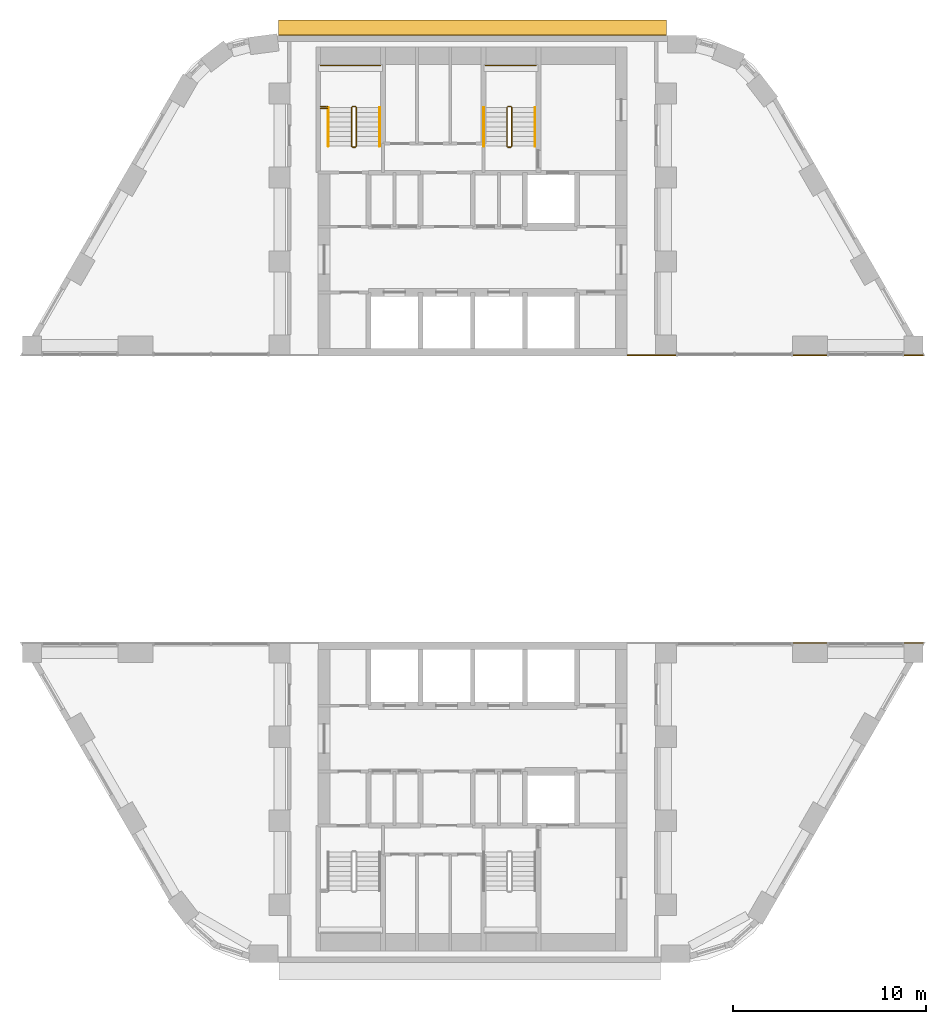
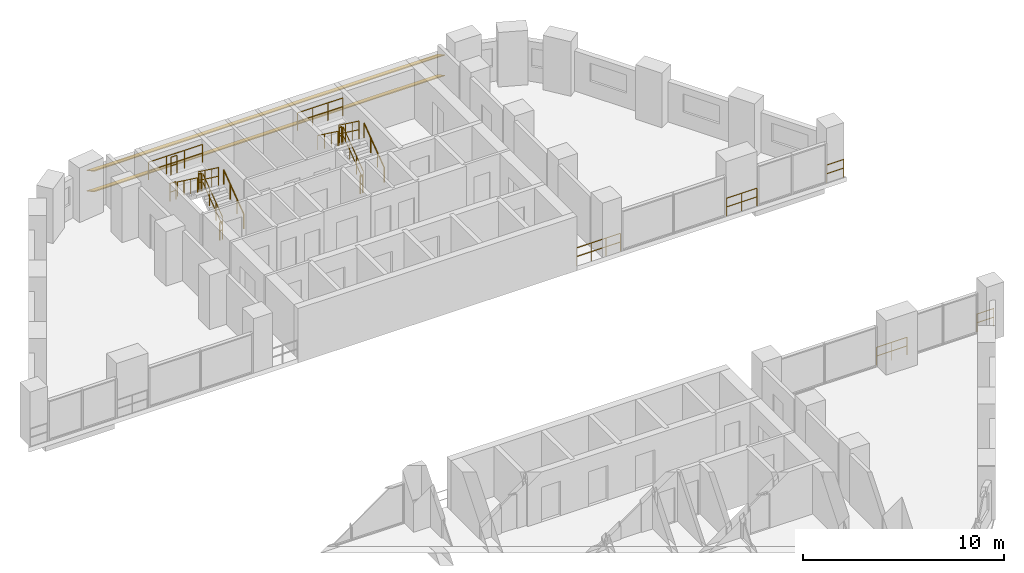
# One storey, part 11 of 11: 21 railings, 2 shading devices.
"""IFC4 building model written with IfcOpenShell, lengths in metres."""

from ifc_helpers import new_model, si_unit, direction, frame, origin, origin_2d, place, context, subcontext, project, spatial, rectangle, circle, extrude, material, material_profile, profile_set, type_object, element, save


model = new_model("IFC4")

# Units and contexts
model_context = context("Model", 3, precision=1e-05, world=origin(), true_north=direction((0.0, 1.0)))
body_context = subcontext(model_context, "Body", "Model", "MODEL_VIEW")
ifc_project = project(units=[si_unit("LENGTHUNIT", "METRE"), si_unit("AREAUNIT", "SQUARE_METRE"), si_unit("VOLUMEUNIT", "CUBIC_METRE"), si_unit("PLANEANGLEUNIT", "RADIAN"), si_unit("MASSUNIT", "GRAM", prefix="KILO")], contexts=[model_context])

# Site, building, storey
site_placement = place(None, origin())
site = spatial("IfcSite", under=ifc_project, at=site_placement, CompositionType="ELEMENT")
building_placement = place(site_placement, origin())
building = spatial("IfcBuilding", under=site, at=building_placement, Name="Nakaniwa Court", CompositionType="ELEMENT")
storey_placement = place(building_placement, frame((0.0, 0.0, 31.5)))
storey = spatial("IfcBuildingStorey", under=building, at=storey_placement, Name="L07", CompositionType="ELEMENT", Elevation=31.5)

# Shading devices
ifc_material_1 = material(Name="Perforated charcoal ceramic louvre blade")
ifc_material_profile = material_profile(ifc_material_1, rectangle(XDim=0.89990234375, YDim=0.050048828125, at=origin_2d()), Name="Perforated ceramic louvre blade")
ifc_profile_set = profile_set([ifc_material_profile], Name="Perforated charcoal ceramic louvre blade")
shading_device_type = type_object("IfcShadingDeviceType", Name="Perforated ceramic louvre blade", PredefinedType="JALOUSIE", material=ifc_profile_set)
for number, where, z_axis, x_axis, name in (
    (1, (90.02880859375, 104.402099609375, 0.550048828125), (-1.0, 0.0, 0.0), (0.0, -0.866025403784, 0.5), "L07 perforated ceramic louvre blade w26 1"),
    (2, (90.02880859375, 104.402099609375, 1.793212890625), (-1.0, 0.0, 0.0), (0.0, -0.866025403784, 0.5), "L07 perforated ceramic louvre blade w26 2"),
):
    element("IfcShadingDevice", number, at=place(storey_placement, frame(where, z_axis=z_axis, x_axis=x_axis)), inside=storey, type_object=shading_device_type, Name=name, PredefinedType="JALOUSIE", context=body_context, shape_type="SweptSolid", body=[
        extrude(rectangle(XDim=0.89990234375, YDim=0.050048828125, at=origin_2d()), origin(), (0.0, 0.0, 1.0), 20.090576171875),
    ])

# Railings
ifc_material_2 = material(Name="Black powder coated steel guard", Category="steel")
railing_type_1 = type_object("IfcRailingType", Name="Stair guard 1100", PredefinedType="GUARDRAIL", material=ifc_material_2)
railing_1_placement = place(storey_placement, frame((73.97509765625, 98.27490234375, 0.183349609375)))
element("IfcRailing", 3, at=railing_1_placement, inside=storey, type_object=railing_type_1, Name="L07 ST1 stair guard 1", PredefinedType="GUARDRAIL", context=body_context, shape_type="SweptSolid", body=[
    extrude(circle(Radius=0.02392578125, at=origin_2d()), frame((0.0, 0.0, 1.076171875), z_axis=(0.0, 0.806426902644, 0.591333789573), x_axis=(-1.0, 0.0, 0.0)), (0.0, 0.0, 1.0), 2.47998046875),
    extrude(circle(Radius=0.02392578125, at=origin_2d()), frame((0.0, 0.0, 0.550048828125), z_axis=(0.0, 0.806426902644, 0.591333789573), x_axis=(-1.0, 0.0, 0.0)), (0.0, 0.0, 1.0), 2.47998046875),
    extrude(circle(Radius=0.02099609375, at=origin_2d()), origin(), (0.0, 0.0, 1.0), 1.052001953125),
    extrude(circle(Radius=0.02099609375, at=origin_2d()), frame((0.0, 0.666748046875, 0.48876953125)), (0.0, 0.0, 1.0), 1.052001953125),
    extrude(circle(Radius=0.02099609375, at=origin_2d()), frame((0.0, 1.333251953125, 0.977783203125)), (0.0, 0.0, 1.0), 1.052001953125),
    extrude(circle(Radius=0.02099609375, at=origin_2d()), frame((0.0, 2.0, 1.466552734375)), (0.0, 0.0, 1.0), 1.052001953125),
])
railing_2_placement = place(storey_placement, frame((73.925048828125, 100.324951171875, 1.64990234375)))
element("IfcRailing", 4, at=railing_2_placement, inside=storey, type_object=railing_type_1, Name="L07 ST1 stair guard 2", PredefinedType="GUARDRAIL", context=body_context, shape_type="SweptSolid", body=[
    extrude(circle(Radius=0.02392578125, at=origin_2d()), frame((0.0, 0.0, 1.076171875), z_axis=(-1.0, 0.0, 0.0), x_axis=(0.0, -1.0, 0.0)), (0.0, 0.0, 1.0), 0.150146484375),
    extrude(circle(Radius=0.02392578125, at=origin_2d()), frame((0.0, 0.0, 0.550048828125), z_axis=(-1.0, 0.0, 0.0), x_axis=(0.0, -1.0, 0.0)), (0.0, 0.0, 1.0), 0.150146484375),
    extrude(circle(Radius=0.02099609375, at=origin_2d()), origin(), (0.0, 0.0, 1.0), 1.052001953125),
    extrude(circle(Radius=0.02099609375, at=origin_2d()), frame((-0.150146484375, 0.0, 0.0)), (0.0, 0.0, 1.0), 1.052001953125),
])
railing_3_placement = place(storey_placement, frame((73.72509765625, 100.27490234375, 1.833251953125)))
element("IfcRailing", 5, at=railing_3_placement, inside=storey, type_object=railing_type_1, Name="L07 ST1 stair guard 3", PredefinedType="GUARDRAIL", context=body_context, shape_type="SweptSolid", body=[
    extrude(circle(Radius=0.02392578125, at=origin_2d()), frame((0.0, 0.0, 1.076171875), z_axis=(0.0, -0.806379959628, 0.591397802423), x_axis=(1.0, 0.0, 0.0)), (0.0, 0.0, 1.0), 2.480224609375),
    extrude(circle(Radius=0.02392578125, at=origin_2d()), frame((0.0, 0.0, 0.550048828125), z_axis=(0.0, -0.806379959628, 0.591397802423), x_axis=(1.0, 0.0, 0.0)), (0.0, 0.0, 1.0), 2.480224609375),
    extrude(circle(Radius=0.02099609375, at=origin_2d()), origin(), (0.0, 0.0, 1.0), 1.052001953125),
    extrude(circle(Radius=0.02099609375, at=origin_2d()), frame((0.0, -0.666748046875, 0.489013671875)), (0.0, 0.0, 1.0), 1.052001953125),
    extrude(circle(Radius=0.02099609375, at=origin_2d()), frame((0.0, -1.333251953125, 0.977783203125)), (0.0, 0.0, 1.0), 1.052001953125),
    extrude(circle(Radius=0.02099609375, at=origin_2d()), frame((0.0, -2.0, 1.466796875)), (0.0, 0.0, 1.0), 1.052001953125),
])
railing_4_placement = place(storey_placement, frame((73.925048828125, 98.22509765625, 0.0)))
element("IfcRailing", 6, at=railing_4_placement, inside=storey, type_object=railing_type_1, Name="L07 ST1 stair guard 4", PredefinedType="GUARDRAIL", context=body_context, shape_type="SweptSolid", body=[
    extrude(circle(Radius=0.02392578125, at=origin_2d()), frame((0.0, 0.0, 1.076171875), z_axis=(-1.0, 0.0, 0.0), x_axis=(0.0, -1.0, 0.0)), (0.0, 0.0, 1.0), 0.150146484375),
    extrude(circle(Radius=0.02392578125, at=origin_2d()), frame((0.0, 0.0, 0.550048828125), z_axis=(-1.0, 0.0, 0.0), x_axis=(0.0, -1.0, 0.0)), (0.0, 0.0, 1.0), 0.150146484375),
    extrude(circle(Radius=0.02099609375, at=origin_2d()), origin(), (0.0, 0.0, 1.0), 1.052001953125),
    extrude(circle(Radius=0.02099609375, at=origin_2d()), frame((-0.150146484375, 0.0, 0.0)), (0.0, 0.0, 1.0), 1.052001953125),
])
railing_5_placement = place(storey_placement, frame((72.125, 102.449951171875, 1.64990234375)))
element("IfcRailing", 7, at=railing_5_placement, inside=storey, type_object=railing_type_1, Name="L07 ST1 landing end guard 1", PredefinedType="GUARDRAIL", context=body_context, shape_type="SweptSolid", body=[
    extrude(circle(Radius=0.02392578125, at=origin_2d()), frame((0.0, 0.0, 1.076171875), z_axis=(1.0, 0.0, 0.0), x_axis=(0.0, 1.0, 0.0)), (0.0, 0.0, 1.0), 3.10009765625),
    extrude(circle(Radius=0.02392578125, at=origin_2d()), frame((0.0, 0.0, 0.550048828125), z_axis=(1.0, 0.0, 0.0), x_axis=(0.0, 1.0, 0.0)), (0.0, 0.0, 1.0), 3.10009765625),
    extrude(circle(Radius=0.02099609375, at=origin_2d()), origin(), (0.0, 0.0, 1.0), 1.052001953125),
    extrude(circle(Radius=0.02099609375, at=origin_2d()), frame((1.033447265625, 0.0, 0.0)), (0.0, 0.0, 1.0), 1.052001953125),
    extrude(circle(Radius=0.02099609375, at=origin_2d()), frame((2.066650390625, 0.0, 0.0)), (0.0, 0.0, 1.0), 1.052001953125),
    extrude(circle(Radius=0.02099609375, at=origin_2d()), frame((3.10009765625, 0.0, 0.0)), (0.0, 0.0, 1.0), 1.052001953125),
])
for number, where, name in (
    (8, (72.125, 100.324951171875, 1.64990234375), "L07 ST1 landing side guard 1W"),
    (9, (72.125, 100.22509765625, 3.300048828125), "L07 ST1 floor edge guard 1W"),
):
    element("IfcRailing", number, at=place(storey_placement, frame(where)), inside=storey, type_object=railing_type_1, Name=name, PredefinedType="GUARDRAIL", context=body_context, shape_type="SweptSolid", body=[
        extrude(circle(Radius=0.02392578125, at=origin_2d()), frame((0.0, 0.0, 1.076171875), z_axis=(1.0, 0.0, 0.0), x_axis=(0.0, 1.0, 0.0)), (0.0, 0.0, 1.0), 0.35009765625),
        extrude(circle(Radius=0.02392578125, at=origin_2d()), frame((0.0, 0.0, 0.550048828125), z_axis=(1.0, 0.0, 0.0), x_axis=(0.0, 1.0, 0.0)), (0.0, 0.0, 1.0), 0.35009765625),
        extrude(circle(Radius=0.02099609375, at=origin_2d()), origin(), (0.0, 0.0, 1.0), 1.052001953125),
        extrude(circle(Radius=0.02099609375, at=origin_2d()), frame((0.35009765625, 0.0, 0.0)), (0.0, 0.0, 1.0), 1.052001953125),
    ])
railing_6_placement = place(storey_placement, frame((82.02490234375, 98.27490234375, 0.183349609375)))
element("IfcRailing", 10, at=railing_6_placement, inside=storey, type_object=railing_type_1, Name="L07 ST2 stair guard 1", PredefinedType="GUARDRAIL", context=body_context, shape_type="SweptSolid", body=[
    extrude(circle(Radius=0.02392578125, at=origin_2d()), frame((0.0, 0.0, 1.076171875), z_axis=(0.0, 0.806426902644, 0.591333789573), x_axis=(-1.0, 0.0, 0.0)), (0.0, 0.0, 1.0), 2.47998046875),
    extrude(circle(Radius=0.02392578125, at=origin_2d()), frame((0.0, 0.0, 0.550048828125), z_axis=(0.0, 0.806426902644, 0.591333789573), x_axis=(-1.0, 0.0, 0.0)), (0.0, 0.0, 1.0), 2.47998046875),
    extrude(circle(Radius=0.02099609375, at=origin_2d()), origin(), (0.0, 0.0, 1.0), 1.052001953125),
    extrude(circle(Radius=0.02099609375, at=origin_2d()), frame((0.0, 0.666748046875, 0.48876953125)), (0.0, 0.0, 1.0), 1.052001953125),
    extrude(circle(Radius=0.02099609375, at=origin_2d()), frame((0.0, 1.333251953125, 0.977783203125)), (0.0, 0.0, 1.0), 1.052001953125),
    extrude(circle(Radius=0.02099609375, at=origin_2d()), frame((0.0, 2.0, 1.466552734375)), (0.0, 0.0, 1.0), 1.052001953125),
])
railing_7_placement = place(storey_placement, frame((81.97509765625, 100.324951171875, 1.64990234375)))
element("IfcRailing", 11, at=railing_7_placement, inside=storey, type_object=railing_type_1, Name="L07 ST2 stair guard 2", PredefinedType="GUARDRAIL", context=body_context, shape_type="SweptSolid", body=[
    extrude(circle(Radius=0.02392578125, at=origin_2d()), frame((0.0, 0.0, 1.076171875), z_axis=(-1.0, 0.0, 0.0), x_axis=(0.0, -1.0, 0.0)), (0.0, 0.0, 1.0), 0.150146484375),
    extrude(circle(Radius=0.02392578125, at=origin_2d()), frame((0.0, 0.0, 0.550048828125), z_axis=(-1.0, 0.0, 0.0), x_axis=(0.0, -1.0, 0.0)), (0.0, 0.0, 1.0), 0.150146484375),
    extrude(circle(Radius=0.02099609375, at=origin_2d()), origin(), (0.0, 0.0, 1.0), 1.052001953125),
    extrude(circle(Radius=0.02099609375, at=origin_2d()), frame((-0.150146484375, 0.0, 0.0)), (0.0, 0.0, 1.0), 1.052001953125),
])
railing_8_placement = place(storey_placement, frame((81.77490234375, 100.27490234375, 1.833251953125)))
element("IfcRailing", 12, at=railing_8_placement, inside=storey, type_object=railing_type_1, Name="L07 ST2 stair guard 3", PredefinedType="GUARDRAIL", context=body_context, shape_type="SweptSolid", body=[
    extrude(circle(Radius=0.02392578125, at=origin_2d()), frame((0.0, 0.0, 1.076171875), z_axis=(0.0, -0.806379959628, 0.591397802423), x_axis=(1.0, 0.0, 0.0)), (0.0, 0.0, 1.0), 2.480224609375),
    extrude(circle(Radius=0.02392578125, at=origin_2d()), frame((0.0, 0.0, 0.550048828125), z_axis=(0.0, -0.806379959628, 0.591397802423), x_axis=(1.0, 0.0, 0.0)), (0.0, 0.0, 1.0), 2.480224609375),
    extrude(circle(Radius=0.02099609375, at=origin_2d()), origin(), (0.0, 0.0, 1.0), 1.052001953125),
    extrude(circle(Radius=0.02099609375, at=origin_2d()), frame((0.0, -0.666748046875, 0.489013671875)), (0.0, 0.0, 1.0), 1.052001953125),
    extrude(circle(Radius=0.02099609375, at=origin_2d()), frame((0.0, -1.333251953125, 0.977783203125)), (0.0, 0.0, 1.0), 1.052001953125),
    extrude(circle(Radius=0.02099609375, at=origin_2d()), frame((0.0, -2.0, 1.466796875)), (0.0, 0.0, 1.0), 1.052001953125),
])
railing_9_placement = place(storey_placement, frame((81.97509765625, 98.22509765625, 0.0)))
element("IfcRailing", 13, at=railing_9_placement, inside=storey, type_object=railing_type_1, Name="L07 ST2 stair guard 4", PredefinedType="GUARDRAIL", context=body_context, shape_type="SweptSolid", body=[
    extrude(circle(Radius=0.02392578125, at=origin_2d()), frame((0.0, 0.0, 1.076171875), z_axis=(-1.0, 0.0, 0.0), x_axis=(0.0, -1.0, 0.0)), (0.0, 0.0, 1.0), 0.150146484375),
    extrude(circle(Radius=0.02392578125, at=origin_2d()), frame((0.0, 0.0, 0.550048828125), z_axis=(-1.0, 0.0, 0.0), x_axis=(0.0, -1.0, 0.0)), (0.0, 0.0, 1.0), 0.150146484375),
    extrude(circle(Radius=0.02099609375, at=origin_2d()), origin(), (0.0, 0.0, 1.0), 1.052001953125),
    extrude(circle(Radius=0.02099609375, at=origin_2d()), frame((-0.150146484375, 0.0, 0.0)), (0.0, 0.0, 1.0), 1.052001953125),
])
railing_10_placement = place(storey_placement, frame((80.675048828125, 102.449951171875, 1.64990234375)))
element("IfcRailing", 14, at=railing_10_placement, inside=storey, type_object=railing_type_1, Name="L07 ST2 landing end guard 1", PredefinedType="GUARDRAIL", context=body_context, shape_type="SweptSolid", body=[
    extrude(circle(Radius=0.02392578125, at=origin_2d()), frame((0.0, 0.0, 1.076171875), z_axis=(1.0, 0.0, 0.0), x_axis=(0.0, 1.0, 0.0)), (0.0, 0.0, 1.0), 2.599853515625),
    extrude(circle(Radius=0.02392578125, at=origin_2d()), frame((0.0, 0.0, 0.550048828125), z_axis=(1.0, 0.0, 0.0), x_axis=(0.0, 1.0, 0.0)), (0.0, 0.0, 1.0), 2.599853515625),
    extrude(circle(Radius=0.02099609375, at=origin_2d()), origin(), (0.0, 0.0, 1.0), 1.052001953125),
    extrude(circle(Radius=0.02099609375, at=origin_2d()), frame((0.86669921875, 0.0, 0.0)), (0.0, 0.0, 1.0), 1.052001953125),
    extrude(circle(Radius=0.02099609375, at=origin_2d()), frame((1.733154296875, 0.0, 0.0)), (0.0, 0.0, 1.0), 1.052001953125),
    extrude(circle(Radius=0.02099609375, at=origin_2d()), frame((2.599853515625, 0.0, 0.0)), (0.0, 0.0, 1.0), 1.052001953125),
])
railing_11_placement = place(storey_placement, frame((96.58740234375, 72.550048828125, 0.0)))
element("IfcRailing", 15, at=railing_11_placement, inside=storey, type_object=railing_type_1, Name="GUARD GD-L07-117", PredefinedType="GUARDRAIL", context=body_context, shape_type="SweptSolid", body=[
    extrude(circle(Radius=0.02392578125, at=origin_2d()), frame((0.0, 0.0, 1.076171875), z_axis=(1.0, 0.0, 0.0), x_axis=(0.0, 1.0, 0.0)), (0.0, 0.0, 1.0), 1.75634765625),
    extrude(circle(Radius=0.02392578125, at=origin_2d()), frame((0.0, 0.0, 0.550048828125), z_axis=(1.0, 0.0, 0.0), x_axis=(0.0, 1.0, 0.0)), (0.0, 0.0, 1.0), 1.75634765625),
    extrude(circle(Radius=0.02099609375, at=origin_2d()), origin(), (0.0, 0.0, 1.0), 1.052001953125),
    extrude(circle(Radius=0.02099609375, at=origin_2d()), frame((0.878173828125, 0.0, 0.0)), (0.0, 0.0, 1.0), 1.052001953125),
    extrude(circle(Radius=0.02099609375, at=origin_2d()), frame((1.75634765625, 0.0, 0.0)), (0.0, 0.0, 1.0), 1.052001953125),
])
railing_12_placement = place(storey_placement, frame((102.343017578125, 72.550048828125, 0.0)))
element("IfcRailing", 16, at=railing_12_placement, inside=storey, type_object=railing_type_1, Name="GUARD GD-L07-118", PredefinedType="GUARDRAIL", context=body_context, shape_type="SweptSolid", body=[
    extrude(circle(Radius=0.02392578125, at=origin_2d()), frame((0.0, 0.0, 1.076171875), z_axis=(1.0, 0.0, 0.0), x_axis=(0.0, 1.0, 0.0)), (0.0, 0.0, 1.0), 0.968017578125),
    extrude(circle(Radius=0.02392578125, at=origin_2d()), frame((0.0, 0.0, 0.550048828125), z_axis=(1.0, 0.0, 0.0), x_axis=(0.0, 1.0, 0.0)), (0.0, 0.0, 1.0), 0.968017578125),
    extrude(circle(Radius=0.02099609375, at=origin_2d()), origin(), (0.0, 0.0, 1.0), 1.052001953125),
    extrude(circle(Radius=0.02099609375, at=origin_2d()), frame((0.968017578125, 0.0, 0.0)), (0.0, 0.0, 1.0), 1.052001953125),
])
railing_13_placement = place(storey_placement, frame((103.31103515625, 87.449951171875, 0.0)))
element("IfcRailing", 17, at=railing_13_placement, inside=storey, type_object=railing_type_1, Name="GUARD GD-L07-119", PredefinedType="GUARDRAIL", context=body_context, shape_type="SweptSolid", body=[
    extrude(circle(Radius=0.02392578125, at=origin_2d()), frame((0.0, 0.0, 1.076171875), z_axis=(-1.0, 0.0, 0.0), x_axis=(0.0, -1.0, 0.0)), (0.0, 0.0, 1.0), 0.968017578125),
    extrude(circle(Radius=0.02392578125, at=origin_2d()), frame((0.0, 0.0, 0.550048828125), z_axis=(-1.0, 0.0, 0.0), x_axis=(0.0, -1.0, 0.0)), (0.0, 0.0, 1.0), 0.968017578125),
    extrude(circle(Radius=0.02099609375, at=origin_2d()), origin(), (0.0, 0.0, 1.0), 1.052001953125),
    extrude(circle(Radius=0.02099609375, at=origin_2d()), frame((-0.968017578125, 0.0, 0.0)), (0.0, 0.0, 1.0), 1.052001953125),
])
railing_14_placement = place(storey_placement, frame((98.34375, 87.449951171875, 0.0)))
element("IfcRailing", 18, at=railing_14_placement, inside=storey, type_object=railing_type_1, Name="GUARD GD-L07-120", PredefinedType="GUARDRAIL", context=body_context, shape_type="SweptSolid", body=[
    extrude(circle(Radius=0.02392578125, at=origin_2d()), frame((0.0, 0.0, 1.076171875), z_axis=(-1.0, 0.0, 0.0), x_axis=(0.0, -1.0, 0.0)), (0.0, 0.0, 1.0), 1.75634765625),
    extrude(circle(Radius=0.02392578125, at=origin_2d()), frame((0.0, 0.0, 0.550048828125), z_axis=(-1.0, 0.0, 0.0), x_axis=(0.0, -1.0, 0.0)), (0.0, 0.0, 1.0), 1.75634765625),
    extrude(circle(Radius=0.02099609375, at=origin_2d()), origin(), (0.0, 0.0, 1.0), 1.052001953125),
    extrude(circle(Radius=0.02099609375, at=origin_2d()), frame((-0.878173828125, 0.0, 0.0)), (0.0, 0.0, 1.0), 1.052001953125),
    extrude(circle(Radius=0.02099609375, at=origin_2d()), frame((-1.75634765625, 0.0, 0.0)), (0.0, 0.0, 1.0), 1.052001953125),
])
railing_15_placement = place(storey_placement, frame((90.52392578125, 87.449951171875, 0.0)))
element("IfcRailing", 19, at=railing_15_placement, inside=storey, type_object=railing_type_1, Name="GUARD GD-L07-121", PredefinedType="GUARDRAIL", context=body_context, shape_type="SweptSolid", body=[
    extrude(circle(Radius=0.02392578125, at=origin_2d()), frame((0.0, 0.0, 1.076171875), z_axis=(-1.0, 0.0, 0.0), x_axis=(0.0, -1.0, 0.0)), (0.0, 0.0, 1.0), 2.514892578125),
    extrude(circle(Radius=0.02392578125, at=origin_2d()), frame((0.0, 0.0, 0.550048828125), z_axis=(-1.0, 0.0, 0.0), x_axis=(0.0, -1.0, 0.0)), (0.0, 0.0, 1.0), 2.514892578125),
    extrude(circle(Radius=0.02099609375, at=origin_2d()), origin(), (0.0, 0.0, 1.0), 1.052001953125),
    extrude(circle(Radius=0.02099609375, at=origin_2d()), frame((-0.83837890625, 0.0, 0.0)), (0.0, 0.0, 1.0), 1.052001953125),
    extrude(circle(Radius=0.02099609375, at=origin_2d()), frame((-1.676513671875, 0.0, 0.0)), (0.0, 0.0, 1.0), 1.052001953125),
    extrude(circle(Radius=0.02099609375, at=origin_2d()), frame((-2.514892578125, 0.0, 0.0)), (0.0, 0.0, 1.0), 1.052001953125),
])
ifc_material_3 = material(Name="Black powder coated steel handrail", Category="steel")
railing_type_2 = type_object("IfcRailingType", Name="Stair handrail 900", PredefinedType="HANDRAIL", material=ifc_material_3)
railing_16_placement = place(storey_placement, frame((75.175048828125, 98.27490234375, 0.183349609375)))
element("IfcRailing", 20, at=railing_16_placement, inside=storey, type_object=railing_type_2, Name="L07 ST1 stair handrail 1", PredefinedType="HANDRAIL", context=body_context, shape_type="SweptSolid", body=[
    extrude(circle(Radius=0.02392578125, at=origin_2d()), frame((0.0, 0.0, 0.8759765625), z_axis=(0.0, 0.806426902644, 0.591333789573), x_axis=(-1.0, 0.0, 0.0)), (0.0, 0.0, 1.0), 2.47998046875),
    extrude(circle(Radius=0.02099609375, at=origin_2d()), origin(), (0.0, 0.0, 1.0), 0.851806640625),
    extrude(circle(Radius=0.02099609375, at=origin_2d()), frame((0.0, 0.666748046875, 0.48876953125)), (0.0, 0.0, 1.0), 0.851806640625),
    extrude(circle(Radius=0.02099609375, at=origin_2d()), frame((0.0, 1.333251953125, 0.977783203125)), (0.0, 0.0, 1.0), 0.851806640625),
    extrude(circle(Radius=0.02099609375, at=origin_2d()), frame((0.0, 2.0, 1.466552734375)), (0.0, 0.0, 1.0), 0.851806640625),
])
railing_17_placement = place(storey_placement, frame((72.52490234375, 100.27490234375, 1.833251953125)))
element("IfcRailing", 21, at=railing_17_placement, inside=storey, type_object=railing_type_2, Name="L07 ST1 stair handrail 2", PredefinedType="HANDRAIL", context=body_context, shape_type="SweptSolid", body=[
    extrude(circle(Radius=0.02392578125, at=origin_2d()), frame((0.0, 0.0, 0.8759765625), z_axis=(0.0, -0.806379959628, 0.591397802423), x_axis=(1.0, 0.0, 0.0)), (0.0, 0.0, 1.0), 2.480224609375),
    extrude(circle(Radius=0.02099609375, at=origin_2d()), origin(), (0.0, 0.0, 1.0), 0.851806640625),
    extrude(circle(Radius=0.02099609375, at=origin_2d()), frame((0.0, -0.666748046875, 0.489013671875)), (0.0, 0.0, 1.0), 0.851806640625),
    extrude(circle(Radius=0.02099609375, at=origin_2d()), frame((0.0, -1.333251953125, 0.977783203125)), (0.0, 0.0, 1.0), 0.851806640625),
    extrude(circle(Radius=0.02099609375, at=origin_2d()), frame((0.0, -2.0, 1.466796875)), (0.0, 0.0, 1.0), 0.851806640625),
])
railing_18_placement = place(storey_placement, frame((83.22509765625, 98.27490234375, 0.183349609375)))
element("IfcRailing", 22, at=railing_18_placement, inside=storey, type_object=railing_type_2, Name="L07 ST2 stair handrail 1", PredefinedType="HANDRAIL", context=body_context, shape_type="SweptSolid", body=[
    extrude(circle(Radius=0.02392578125, at=origin_2d()), frame((0.0, 0.0, 0.8759765625), z_axis=(0.0, 0.806426902644, 0.591333789573), x_axis=(-1.0, 0.0, 0.0)), (0.0, 0.0, 1.0), 2.47998046875),
    extrude(circle(Radius=0.02099609375, at=origin_2d()), origin(), (0.0, 0.0, 1.0), 0.851806640625),
    extrude(circle(Radius=0.02099609375, at=origin_2d()), frame((0.0, 0.666748046875, 0.48876953125)), (0.0, 0.0, 1.0), 0.851806640625),
    extrude(circle(Radius=0.02099609375, at=origin_2d()), frame((0.0, 1.333251953125, 0.977783203125)), (0.0, 0.0, 1.0), 0.851806640625),
    extrude(circle(Radius=0.02099609375, at=origin_2d()), frame((0.0, 2.0, 1.466552734375)), (0.0, 0.0, 1.0), 0.851806640625),
])
railing_19_placement = place(storey_placement, frame((80.574951171875, 100.27490234375, 1.833251953125)))
element("IfcRailing", 23, at=railing_19_placement, inside=storey, type_object=railing_type_2, Name="L07 ST2 stair handrail 2", PredefinedType="HANDRAIL", context=body_context, shape_type="SweptSolid", body=[
    extrude(circle(Radius=0.02392578125, at=origin_2d()), frame((0.0, 0.0, 0.8759765625), z_axis=(0.0, -0.806379959628, 0.591397802423), x_axis=(1.0, 0.0, 0.0)), (0.0, 0.0, 1.0), 2.480224609375),
    extrude(circle(Radius=0.02099609375, at=origin_2d()), origin(), (0.0, 0.0, 1.0), 0.851806640625),
    extrude(circle(Radius=0.02099609375, at=origin_2d()), frame((0.0, -0.666748046875, 0.489013671875)), (0.0, 0.0, 1.0), 0.851806640625),
    extrude(circle(Radius=0.02099609375, at=origin_2d()), frame((0.0, -1.333251953125, 0.977783203125)), (0.0, 0.0, 1.0), 0.851806640625),
    extrude(circle(Radius=0.02099609375, at=origin_2d()), frame((0.0, -2.0, 1.466796875)), (0.0, 0.0, 1.0), 0.851806640625),
])

save(model, "model.ifc")
